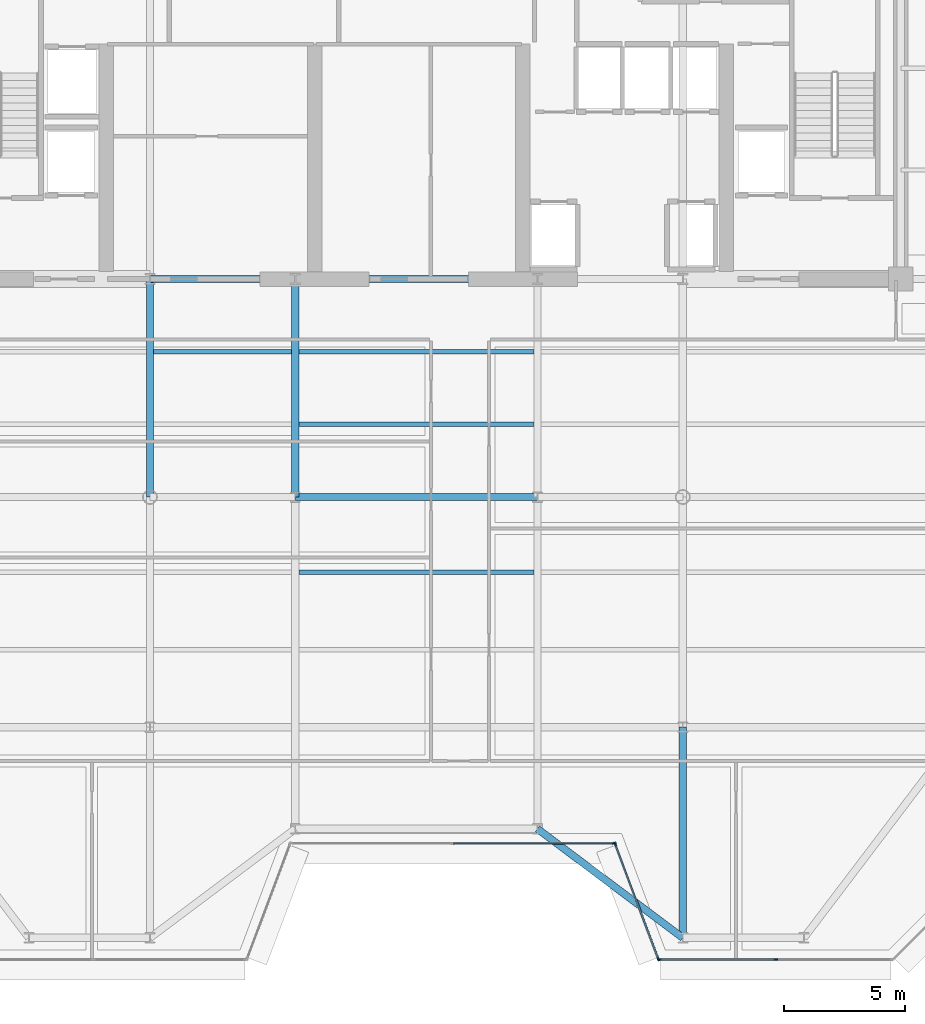
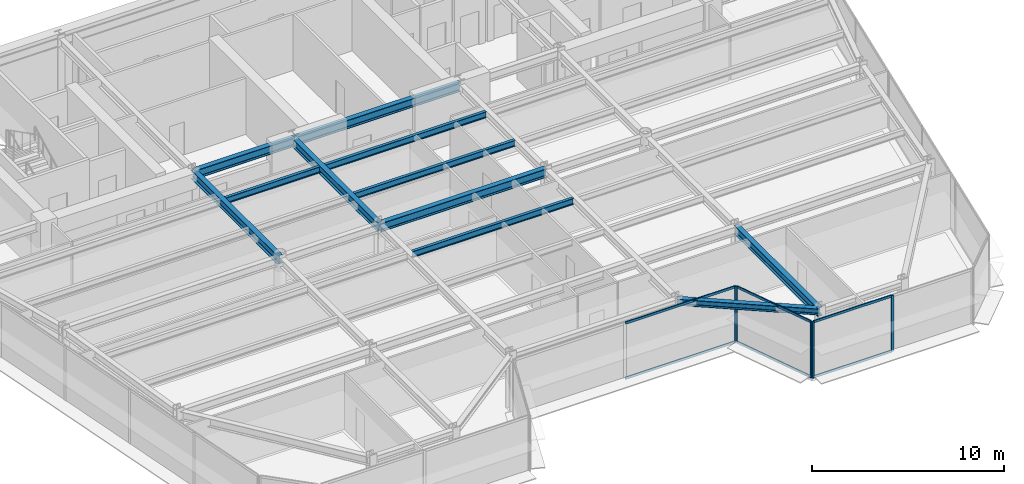
# One storey, part 5 of 17: 11 beams, 11 members, 3 elements without a shape of their own.
"""IFC4 building model written with IfcOpenShell, lengths in metres."""

from ifc_helpers import new_model, si_unit, direction, frame, origin, origin_2d, place, context, subcontext, project, spatial, rectangle, i_section, extrude, source, transform, mapped, material, layer, layer_set, material_profile, profile_set, type_object, element, aggregate, save


model = new_model("IFC4")

# Units and contexts
model_context = context("Model", 3, precision=1e-05, world=origin(), true_north=direction((0.0, 1.0)))
body_context = subcontext(model_context, "Body", "Model", "MODEL_VIEW")
ifc_project = project(units=[si_unit("LENGTHUNIT", "METRE"), si_unit("AREAUNIT", "SQUARE_METRE"), si_unit("VOLUMEUNIT", "CUBIC_METRE"), si_unit("PLANEANGLEUNIT", "RADIAN"), si_unit("MASSUNIT", "GRAM", prefix="KILO")], contexts=[model_context])

# Site, building, storey
site_placement = place(None, origin())
site = spatial("IfcSite", under=ifc_project, at=site_placement, CompositionType="ELEMENT")
building_placement = place(site_placement, origin())
building = spatial("IfcBuilding", under=site, at=building_placement, Name="Vaeldorn Concourse Tower", CompositionType="ELEMENT")
storey_placement = place(building_placement, frame((0.0, 0.0, 230.800048828125)))
storey = spatial("IfcBuildingStorey", under=building, at=storey_placement, Name="L59", CompositionType="ELEMENT", Elevation=230.800048828125)

# Beams
ifc_material_1 = material(Name="Steel S355", Category="steel")
ifc_material_profile_1 = material_profile(ifc_material_1, i_section(OverallWidth=0.300048828125, OverallDepth=0.39990234375, WebThickness=0.013427734375, FlangeThickness=0.02392578125, FilletRadius=0.027099609375, at=origin_2d()), Name="HEB 400")
ifc_profile_set_1 = profile_set([ifc_material_profile_1], Name="Steel S355")
beam_type_1 = type_object("IfcBeamType", Name="BM-SP-HEB400", PredefinedType="SPANDREL", material=ifc_profile_set_1)
shared_shape_1 = source(origin(), body_context, "Body", "SweptSolid", [
    extrude(i_section(OverallWidth=0.300048828125, OverallDepth=0.39990234375, WebThickness=0.013427734375, FlangeThickness=0.02392578125, FilletRadius=0.027099609375, at=origin_2d()), origin(), (0.0, 0.0, 1.0), 7.5),
])
beam_1_placement = place(storey_placement, frame((39.0, 13.800048828125, 3.3798828125), z_axis=(0.8, -0.6, 0.0), x_axis=(0.6, 0.8, 0.0)))
element("IfcBeam", 1, at=beam_1_placement, inside=storey, type_object=beam_type_1, Name="Beam BM-L59-C-SF4-C-SF5", PredefinedType="SPANDREL", context=body_context, shape_type="MappedRepresentation", body=[
    mapped(shared_shape_1, transform((0.0, 0.0, 0.0), scale=1.0)),
])
ifc_material_profile_2 = material_profile(ifc_material_1, i_section(OverallWidth=0.179931640625, OverallDepth=0.39990234375, WebThickness=0.008544921875, FlangeThickness=0.013427734375, FilletRadius=0.02099609375, at=origin_2d()), Name="IPE 400")
ifc_profile_set_2 = profile_set([ifc_material_profile_2], Name="Steel S355")
beam_type_2 = type_object("IfcBeamType", Name="BM-JS-IPE400", PredefinedType="JOIST", material=ifc_profile_set_2)
shared_shape_2 = source(origin(), body_context, "Body", "SweptSolid", [
    extrude(i_section(OverallWidth=0.179931640625, OverallDepth=0.39990234375, WebThickness=0.008544921875, FlangeThickness=0.013427734375, FilletRadius=0.02099609375, at=origin_2d()), origin(), (0.0, 0.0, 1.0), 5.7001953125),
])
beam_2_placement = place(storey_placement, frame((23.14990234375, 33.5, 3.3798828125), z_axis=(1.0, 0.0, 0.0), x_axis=(0.0, 1.0, 0.0)))
element("IfcBeam", 2, at=beam_2_placement, inside=storey, type_object=beam_type_2, Name="Beam JS-L59-W2-335", PredefinedType="JOIST", context=body_context, shape_type="MappedRepresentation", body=[
    mapped(shared_shape_2, transform((0.0, 0.0, 0.0), scale=1.0)),
])
shared_shape_3 = source(origin(), body_context, "Body", "SweptSolid", [
    extrude(i_section(OverallWidth=0.179931640625, OverallDepth=0.39990234375, WebThickness=0.008544921875, FlangeThickness=0.013427734375, FilletRadius=0.02099609375, at=origin_2d()), origin(), (0.0, 0.0, 1.0), 9.7001953125),
])
for number, where, z_axis, x_axis, name in (
    (3, (29.14990234375, 24.39990234375, 3.3798828125), (1.0, 0.0, 0.0), (0.0, 1.0, 0.0), "Beam JS-L59-C-244"),
    (4, (29.14990234375, 30.5, 3.3798828125), (1.0, 0.0, 0.0), (0.0, 1.0, 0.0), "Beam JS-L59-C-305"),
    (5, (29.14990234375, 33.5, 3.3798828125), (1.0, 0.0, 0.0), (0.0, 1.0, 0.0), "Beam JS-L59-C-335"),
):
    element("IfcBeam", number, at=place(storey_placement, frame(where, z_axis=z_axis, x_axis=x_axis)), inside=storey, type_object=beam_type_2, Name=name, PredefinedType="JOIST", context=body_context, shape_type="MappedRepresentation", body=[
        mapped(shared_shape_3, transform((0.0, 0.0, 0.0), scale=1.0)),
    ])
ifc_material_profile_3 = material_profile(ifc_material_1, i_section(OverallWidth=0.300048828125, OverallDepth=0.550048828125, WebThickness=0.014892578125, FlangeThickness=0.029052734375, FilletRadius=0.027099609375, at=origin_2d()), Name="HEB 550")
ifc_profile_set_3 = profile_set([ifc_material_profile_3], Name="Steel S355")
beam_type_3 = type_object("IfcBeamType", Name="BM-PG-HEB550", PredefinedType="BEAM", material=ifc_profile_set_3)
shared_shape_4 = source(origin(), body_context, "Body", "SweptSolid", [
    extrude(i_section(OverallWidth=0.300048828125, OverallDepth=0.550048828125, WebThickness=0.014892578125, FlangeThickness=0.029052734375, FilletRadius=0.027099609375, at=origin_2d()), origin(), (0.0, 0.0, 1.0), 6.0),
])
beam_3_placement = place(storey_placement, frame((23.0, 36.5, 3.304931640625), z_axis=(1.0, 0.0, 0.0), x_axis=(0.0, 1.0, 0.0)))
element("IfcBeam", 6, at=beam_3_placement, inside=storey, type_object=beam_type_3, Name="Beam BM-L59-C-FC2-C-FC3", PredefinedType="BEAM", context=body_context, shape_type="MappedRepresentation", body=[
    mapped(shared_shape_4, transform((0.0, 0.0, 0.0), scale=1.0)),
])
shared_shape_5 = source(origin(), body_context, "Body", "SweptSolid", [
    extrude(i_section(OverallWidth=0.300048828125, OverallDepth=0.550048828125, WebThickness=0.014892578125, FlangeThickness=0.029052734375, FilletRadius=0.027099609375, at=origin_2d()), origin(), (0.0, 0.0, 1.0), 10.0),
])
for number, where, z_axis, x_axis, name in (
    (7, (29.0, 36.5, 3.304931640625), (1.0, 0.0, 0.0), (0.0, 1.0, 0.0), "Beam BM-L59-C-FC3-C-FC4"),
    (8, (29.0, 27.5, 3.304931640625), (1.0, 0.0, 0.0), (0.0, 1.0, 0.0), "Beam BM-L59-C-TW2-C-TW3"),
):
    element("IfcBeam", number, at=place(storey_placement, frame(where, z_axis=z_axis, x_axis=x_axis)), inside=storey, type_object=beam_type_3, Name=name, PredefinedType="BEAM", context=body_context, shape_type="MappedRepresentation", body=[
        mapped(shared_shape_5, transform((0.0, 0.0, 0.0), scale=1.0)),
    ])
shared_shape_6 = source(origin(), body_context, "Body", "SweptSolid", [
    extrude(i_section(OverallWidth=0.300048828125, OverallDepth=0.550048828125, WebThickness=0.014892578125, FlangeThickness=0.029052734375, FilletRadius=0.027099609375, at=origin_2d()), origin(), (0.0, 0.0, 1.0), 9.0),
])
for number, where, z_axis, x_axis, name in (
    (9, (23.0, 27.5, 3.304931640625), (0.0, 1.0, 0.0), (-1.0, 0.0, 0.0), "Beam BM-L59-C-TW1-C-FC2"),
    (10, (29.0, 27.5, 3.304931640625), (0.0, 1.0, 0.0), (-1.0, 0.0, 0.0), "Beam BM-L59-C-TW2-C-FC3"),
):
    element("IfcBeam", number, at=place(storey_placement, frame(where, z_axis=z_axis, x_axis=x_axis)), inside=storey, type_object=beam_type_3, Name=name, PredefinedType="BEAM", context=body_context, shape_type="MappedRepresentation", body=[
        mapped(shared_shape_6, transform((0.0, 0.0, 0.0), scale=1.0)),
    ])
shared_shape_7 = source(origin(), body_context, "Body", "SweptSolid", [
    extrude(i_section(OverallWidth=0.300048828125, OverallDepth=0.550048828125, WebThickness=0.014892578125, FlangeThickness=0.029052734375, FilletRadius=0.027099609375, at=origin_2d()), origin(), (0.0, 0.0, 1.0), 8.699951171875),
])
beam_4_placement = place(storey_placement, frame((45.0, 9.300048828125, 3.304931640625), z_axis=(0.0, 1.0, 0.0), x_axis=(-1.0, 0.0, 0.0)))
element("IfcBeam", 11, at=beam_4_placement, inside=storey, type_object=beam_type_3, Name="Beam BM-L59-C-SF5-C-TW6", PredefinedType="BEAM", context=body_context, shape_type="MappedRepresentation", body=[
    mapped(shared_shape_7, transform((0.0, 0.0, 0.0), scale=1.0)),
])

# Curtain wall, member
ifc_material_2 = material(Name="Anodised Bronze Aluminium", Category="aluminium")
ifc_layer = layer(ifc_material_2, 0.179931640625)
ifc_layer_set = layer_set([ifc_layer], Name="Anodised Bronze Aluminium")
curtain_wall_type = type_object("IfcCurtainWallType", Name="CW-SYS-05", PredefinedType="NOTDEFINED", material=ifc_layer_set)
curtain_wall_1_placement = place(storey_placement, origin())
curtain_wall_1 = element("IfcCurtainWall", 12, at=curtain_wall_1_placement, inside=storey, type_object=curtain_wall_type, Name="Unitised Curtain Wall CW-L59-E03-1", PredefinedType="NOTDEFINED")
ifc_material_profile_4 = material_profile(ifc_material_2, rectangle(XDim=0.06494140625, YDim=0.169921875, at=origin_2d()), Name="CWM 65x170")
ifc_profile_set_4 = profile_set([ifc_material_profile_4], Name="Anodised Bronze Aluminium")
member_type_1 = type_object("IfcMemberType", Name="CWM-BRONZE-170", PredefinedType="MULLION", material=ifc_profile_set_4)
shared_shape_8 = source(origin(), body_context, "Body", "SweptSolid", [
    extrude(rectangle(XDim=0.06494140625, YDim=0.169921875, at=origin_2d()), origin(), (0.0, 0.0, 1.0), 3.579833984375),
])
member_1_placement = place(storey_placement, frame((42.16748046875, 13.199951171875, 0.0), z_axis=(0.0, 0.0, 1.0), x_axis=(0.0, 1.0, 0.0)))
member_1 = element("IfcMember", 13, at=member_1_placement, type_object=member_type_1, Name="CW-05 mullion 3", PredefinedType="MULLION", context=body_context, shape_type="MappedRepresentation", body=[
    mapped(shared_shape_8, transform((0.0, 0.0, 0.0), scale=1.0)),
])

# Curtain wall, members
curtain_wall_2_placement = place(storey_placement, origin())
curtain_wall_2 = element("IfcCurtainWall", 14, at=curtain_wall_2_placement, inside=storey, type_object=curtain_wall_type, Name="Unitised Curtain Wall CW-L59-E04-1", PredefinedType="NOTDEFINED")
member_2_placement = place(storey_placement, frame((42.21142578125, 13.169677734375, 0.0), z_axis=(0.0, 0.0, 1.0), x_axis=(0.936329177566, 0.351123441595, 0.0)))
member_2 = element("IfcMember", 15, at=member_2_placement, type_object=member_type_1, Name="CW-05 mullion 1", PredefinedType="MULLION", context=body_context, shape_type="MappedRepresentation", body=[
    mapped(shared_shape_8, transform((0.0, 0.0, 0.0), scale=1.0)),
])
member_3_placement = place(storey_placement, frame((43.988525390625, 8.430419921875, 0.0), z_axis=(0.0, 0.0, 1.0), x_axis=(0.936329177566, 0.351123441595, 0.0)))
member_3 = element("IfcMember", 16, at=member_3_placement, type_object=member_type_1, Name="CW-05 mullion 2", PredefinedType="MULLION", context=body_context, shape_type="MappedRepresentation", body=[
    mapped(shared_shape_8, transform((0.0, 0.0, 0.0), scale=1.0)),
])

curtain_wall_3_placement = place(storey_placement, origin())
curtain_wall_3 = element("IfcCurtainWall", 17, at=curtain_wall_3_placement, inside=storey, type_object=curtain_wall_type, Name="Unitised Curtain Wall CW-L59-E05-1", PredefinedType="NOTDEFINED")
member_4_placement = place(storey_placement, frame((44.032470703125, 8.39990234375, 0.0), z_axis=(0.0, 0.0, 1.0), x_axis=(0.0, 1.0, 0.0)))
member_4 = element("IfcMember", 18, at=member_4_placement, type_object=member_type_1, Name="CW-05 mullion 1", PredefinedType="MULLION", context=body_context, shape_type="MappedRepresentation", body=[
    mapped(shared_shape_8, transform((0.0, 0.0, 0.0), scale=1.0)),
])
member_5_placement = place(storey_placement, frame((48.83544921875, 8.39990234375, 0.0), z_axis=(0.0, 0.0, 1.0), x_axis=(0.0, 1.0, 0.0)))
member_5 = element("IfcMember", 19, at=member_5_placement, type_object=member_type_1, Name="CW-05 mullion 2", PredefinedType="MULLION", context=body_context, shape_type="MappedRepresentation", body=[
    mapped(shared_shape_8, transform((0.0, 0.0, 0.0), scale=1.0)),
])

# Member
ifc_material_profile_5 = material_profile(ifc_material_2, rectangle(XDim=0.06494140625, YDim=0.14990234375, at=origin_2d()), Name="CWT 65x150")
ifc_profile_set_5 = profile_set([ifc_material_profile_5], Name="Anodised Bronze Aluminium")
member_type_2 = type_object("IfcMemberType", Name="CWT-BRONZE-150", PredefinedType="USERDEFINED", material=ifc_profile_set_5)
shared_shape_9 = source(origin(), body_context, "Body", "SweptSolid", [
    extrude(rectangle(XDim=0.06494140625, YDim=0.14990234375, at=origin_2d()), origin(), (0.0, 0.0, 1.0), 4.996337890625),
])
member_6_placement = place(storey_placement, frame((42.222900390625, 13.13916015625, 0.032470703125), z_axis=(0.351134151405, -0.936325161318, 0.0), x_axis=(0.936325161318, 0.351134151405, 0.0)))
member_6 = element("IfcMember", 20, at=member_6_placement, type_object=member_type_2, Name="CW-05 transom 1.1", ObjectType="TRANSOM", PredefinedType="USERDEFINED", context=body_context, shape_type="MappedRepresentation", body=[
    mapped(shared_shape_9, transform((0.0, 0.0, 0.0), scale=1.0)),
])

member_7_placement = place(storey_placement, frame((42.222900390625, 13.13916015625, 3.54736328125), z_axis=(0.351134151405, -0.936325161318, 0.0), x_axis=(0.936325161318, 0.351134151405, 0.0)))
member_7 = element("IfcMember", 21, at=member_7_placement, type_object=member_type_2, Name="CW-05 transom 1.2", ObjectType="TRANSOM", PredefinedType="USERDEFINED", context=body_context, shape_type="MappedRepresentation", body=[
    mapped(shared_shape_9, transform((0.0, 0.0, 0.0), scale=1.0)),
])

aggregate(curtain_wall_2, [member_2, member_3, member_6, member_7])

shared_shape_10 = source(origin(), body_context, "Body", "SweptSolid", [
    extrude(rectangle(XDim=0.06494140625, YDim=0.14990234375, at=origin_2d()), origin(), (0.0, 0.0, 1.0), 6.6025390625),
])
member_8_placement = place(storey_placement, frame((35.532470703125, 13.199951171875, 0.032470703125), z_axis=(1.0, 0.0, 0.0), x_axis=(0.0, 1.0, 0.0)))
member_8 = element("IfcMember", 22, at=member_8_placement, type_object=member_type_2, Name="CW-05 transom 2.1", ObjectType="TRANSOM", PredefinedType="USERDEFINED", context=body_context, shape_type="MappedRepresentation", body=[
    mapped(shared_shape_10, transform((0.0, 0.0, 0.0), scale=1.0)),
])

member_9_placement = place(storey_placement, frame((35.532470703125, 13.199951171875, 3.54736328125), z_axis=(1.0, 0.0, 0.0), x_axis=(0.0, 1.0, 0.0)))
member_9 = element("IfcMember", 23, at=member_9_placement, type_object=member_type_2, Name="CW-05 transom 2.2", ObjectType="TRANSOM", PredefinedType="USERDEFINED", context=body_context, shape_type="MappedRepresentation", body=[
    mapped(shared_shape_10, transform((0.0, 0.0, 0.0), scale=1.0)),
])

aggregate(curtain_wall_1, [member_1, member_8, member_9])

shared_shape_11 = source(origin(), body_context, "Body", "SweptSolid", [
    extrude(rectangle(XDim=0.06494140625, YDim=0.14990234375, at=origin_2d()), origin(), (0.0, 0.0, 1.0), 4.738037109375),
])
member_10_placement = place(storey_placement, frame((44.06494140625, 8.39990234375, 0.032470703125), z_axis=(1.0, 0.0, 0.0), x_axis=(0.0, 1.0, 0.0)))
member_10 = element("IfcMember", 24, at=member_10_placement, type_object=member_type_2, Name="CW-05 transom 1.1", ObjectType="TRANSOM", PredefinedType="USERDEFINED", context=body_context, shape_type="MappedRepresentation", body=[
    mapped(shared_shape_11, transform((0.0, 0.0, 0.0), scale=1.0)),
])

member_11_placement = place(storey_placement, frame((44.06494140625, 8.39990234375, 3.54736328125), z_axis=(1.0, 0.0, 0.0), x_axis=(0.0, 1.0, 0.0)))
member_11 = element("IfcMember", 25, at=member_11_placement, type_object=member_type_2, Name="CW-05 transom 1.2", ObjectType="TRANSOM", PredefinedType="USERDEFINED", context=body_context, shape_type="MappedRepresentation", body=[
    mapped(shared_shape_11, transform((0.0, 0.0, 0.0), scale=1.0)),
])

aggregate(curtain_wall_3, [member_4, member_5, member_10, member_11])

save(model, "model.ifc")
